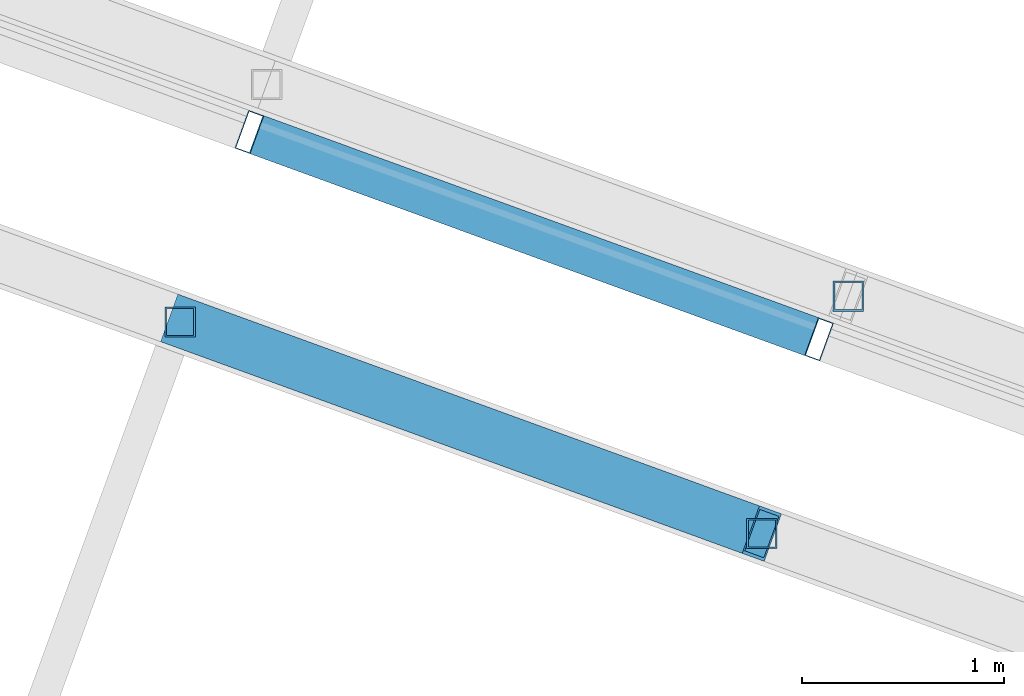
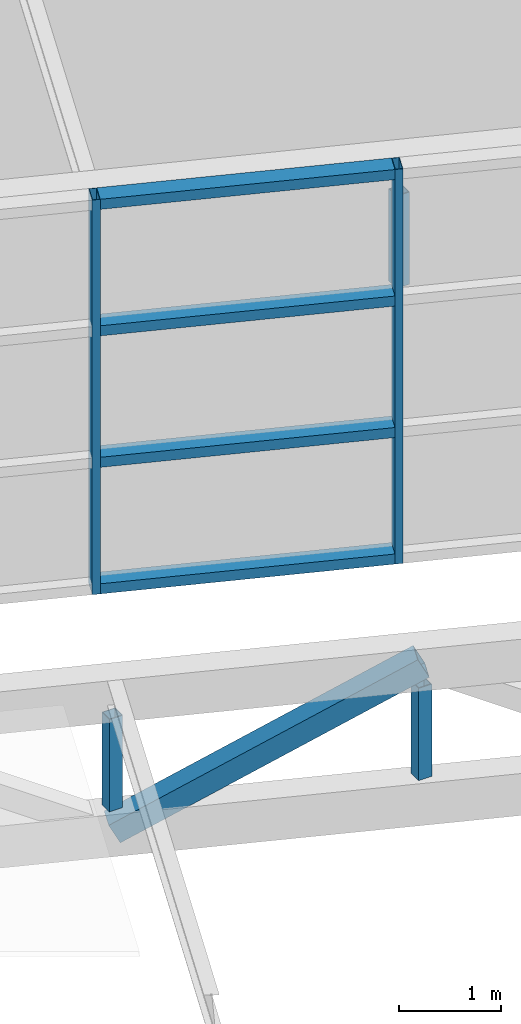
# One storey, part 35 of 72: 10 members, 1 element without a shape of its own.
"""IFC4 building model written with IfcOpenShell, lengths in metres."""

from ifc_helpers import new_model, si_unit, direction, frame, origin, origin_2d, place, context, subcontext, project, spatial, hollow_rectangle, extrude, material, layer, layer_set, material_profile, profile_set, type_object, element, aggregate, save


model = new_model("IFC4")

# Units and contexts
model_context = context("Model", 3, precision=1e-05, world=origin(), true_north=direction((0.0, 1.0)))
body_context = subcontext(model_context, "Body", "Model", "MODEL_VIEW")
ifc_project = project(units=[si_unit("LENGTHUNIT", "METRE"), si_unit("AREAUNIT", "SQUARE_METRE"), si_unit("VOLUMEUNIT", "CUBIC_METRE"), si_unit("PLANEANGLEUNIT", "RADIAN"), si_unit("MASSUNIT", "GRAM", prefix="KILO")], contexts=[model_context])

# Site, building, storey
site_placement = place(None, origin())
site = spatial("IfcSite", under=ifc_project, at=site_placement, CompositionType="ELEMENT")
building_placement = place(site_placement, origin())
building = spatial("IfcBuilding", under=site, at=building_placement, Name="Nzadi Deep Aquarium and Research Tower", CompositionType="ELEMENT")
storey_placement = place(building_placement, frame((0.0, 0.0, 31.89990234375)))
storey = spatial("IfcBuildingStorey", under=building, at=storey_placement, Name="L05", CompositionType="ELEMENT", Elevation=31.89990234375)

# Curtain wall, members
ifc_material_1 = material(Name="Aluminium glazing frame tall", Category="aluminium")
ifc_layer = layer(ifc_material_1, 0.199951171875)
ifc_layer_set = layer_set([ifc_layer], Name="Aluminium glazing frame tall")
curtain_wall_type = type_object("IfcCurtainWallType", Name="Curtain wall Clerestory Tall 200", PredefinedType="NOTDEFINED", material=ifc_layer_set)
curtain_wall_placement = place(storey_placement, origin())
curtain_wall = element("IfcCurtainWall", 1, at=curtain_wall_placement, inside=storey, type_object=curtain_wall_type, Name="Prism clerestory glazing", PredefinedType="NOTDEFINED")
ifc_material_2 = material(Name="Aluminium glazing frame tall", Category="aluminium")
ifc_material_profile_1 = material_profile(ifc_material_2, hollow_rectangle(XDim=0.199951171875, YDim=0.080078125, WallThickness=0.0048828125, at=origin_2d()))
ifc_profile_set_1 = profile_set([ifc_material_profile_1], Name="Aluminium glazing frame tall")
member_type_1 = type_object("IfcMemberType", Name="Mullion 80x200 Clerestory Tall", PredefinedType="MULLION", material=ifc_profile_set_1)
member_1_placement = place(storey_placement, frame((28.800048828125, 70.199951171875, 9.10009765625), z_axis=(0.0, 0.0, 1.0), x_axis=(0.342020143326, 0.939692620786, 0.0)))
member_1 = element("IfcMember", 2, at=member_1_placement, type_object=member_type_1, Name="CW257 mullion 5", PredefinedType="MULLION", context=body_context, shape_type="SweptSolid", body=[
    extrude(hollow_rectangle(XDim=0.199951171875, YDim=0.080078125, WallThickness=0.0048828125, at=origin_2d()), origin(), (0.0, 0.0, 1.0), 4.699951171875),
])
member_2_placement = place(storey_placement, frame((31.619140625, 69.173828125, 9.10009765625), z_axis=(0.0, 0.0, 1.0), x_axis=(0.342020143326, 0.939692620786, 0.0)))
member_2 = element("IfcMember", 3, at=member_2_placement, type_object=member_type_1, Name="CW257 mullion 6", PredefinedType="MULLION", context=body_context, shape_type="SweptSolid", body=[
    extrude(hollow_rectangle(XDim=0.199951171875, YDim=0.080078125, WallThickness=0.0048828125, at=origin_2d()), origin(), (0.0, 0.0, 1.0), 4.699951171875),
])

# Members
ifc_material_3 = material(Name="Steel S355", Category="steel")
ifc_material_profile_2 = material_profile(ifc_material_3, hollow_rectangle(XDim=0.14990234375, YDim=0.14990234375, WallThickness=0.008056640625, at=origin_2d()))
ifc_profile_set_2 = profile_set([ifc_material_profile_2], Name="Steel S355")
member_type_2 = type_object("IfcMemberType", Name="RHS 150x150x8 post 2", PredefinedType="POST", material=ifc_profile_set_2)
for number, where, z_axis, x_axis, name in (
    (4, (28.4580078125, 69.26025390625, 7.2001953125), (0.0, 0.0, 1.0), (1.0, 0.0, 0.0), "MB-PR-R1-T3-V4"),
    (5, (31.335693359375, 68.212890625, 7.2001953125), (0.0, 0.0, 1.0), (1.0, 0.0, 0.0), "MB-PR-R1-T3-V5"),
    (6, (31.763427734375, 69.387451171875, 12.2001953125), (0.0, 0.0, 1.0), (1.0, 0.0, 0.0), "MB-PR-R2-T1-V5"),
):
    element("IfcMember", number, at=place(storey_placement, frame(where, z_axis=z_axis, x_axis=x_axis)), inside=storey, type_object=member_type_2, Name=name, PredefinedType="POST", context=body_context, shape_type="SweptSolid", body=[
        extrude(hollow_rectangle(XDim=0.14990234375, YDim=0.14990234375, WallThickness=0.008056640625, at=origin_2d()), origin(), (0.0, 0.0, 1.0), 1.099853515625),
    ])
ifc_material_4 = material(Name="Steel S355", Category="steel")
ifc_material_profile_3 = material_profile(ifc_material_4, hollow_rectangle(XDim=0.25, YDim=0.25, WallThickness=0.01611328125, at=origin_2d()))
ifc_profile_set_3 = profile_set([ifc_material_profile_3], Name="Steel S355")
member_type_3 = type_object("IfcMemberType", Name="RHS 250x250x16 brace", PredefinedType="BRACE", material=ifc_profile_set_3)
member_3_placement = place(storey_placement, frame((28.4580078125, 69.26025390625, 6.9501953125), z_axis=(0.832885449393, -0.303137234062, 0.463043891564), x_axis=(0.342011896186, 0.939695622458, 0.0)))
element("IfcMember", 7, at=member_3_placement, inside=storey, type_object=member_type_3, Name="MB-PR-R1-T3-D5", PredefinedType="BRACE", context=body_context, shape_type="SweptSolid", body=[
    extrude(hollow_rectangle(XDim=0.25, YDim=0.25, WallThickness=0.01611328125, at=origin_2d()), origin(), (0.0, 0.0, 1.0), 3.455078125),
])

# Member
ifc_material_5 = material(Name="Aluminium glazing frame tall", Category="aluminium")
ifc_material_profile_4 = material_profile(ifc_material_5, hollow_rectangle(XDim=0.199951171875, YDim=0.1201171875, WallThickness=0.0048828125, at=origin_2d()))
ifc_profile_set_4 = profile_set([ifc_material_profile_4], Name="Aluminium glazing frame tall")
member_type_4 = type_object("IfcMemberType", Name="Transom 120x200 Clerestory Tall", PredefinedType="MULLION", material=ifc_profile_set_4)
member_4_placement = place(storey_placement, frame((28.837646484375, 70.186279296875, 9.16015625), z_axis=(0.939683523464, -0.342045136978, 0.0), x_axis=(0.342045136978, 0.939683523464, 0.0)))
member_4 = element("IfcMember", 8, at=member_4_placement, type_object=member_type_4, Name="CW257 transom 5.1", PredefinedType="MULLION", context=body_context, shape_type="SweptSolid", body=[
    extrude(hollow_rectangle(XDim=0.199951171875, YDim=0.1201171875, WallThickness=0.0048828125, at=origin_2d()), origin(), (0.0, 0.0, 1.0), 2.919921875),
])

member_5_placement = place(storey_placement, frame((28.837646484375, 70.186279296875, 10.6669921875), z_axis=(0.939683523464, -0.342045136978, 0.0), x_axis=(0.342045136978, 0.939683523464, 0.0)))
member_5 = element("IfcMember", 9, at=member_5_placement, type_object=member_type_4, Name="CW257 transom 5.2", PredefinedType="MULLION", context=body_context, shape_type="SweptSolid", body=[
    extrude(hollow_rectangle(XDim=0.199951171875, YDim=0.1201171875, WallThickness=0.0048828125, at=origin_2d()), origin(), (0.0, 0.0, 1.0), 2.919921875),
])

member_6_placement = place(storey_placement, frame((28.837646484375, 70.186279296875, 12.233154296875), z_axis=(0.939683523464, -0.342045136978, 0.0), x_axis=(0.342045136978, 0.939683523464, 0.0)))
member_6 = element("IfcMember", 10, at=member_6_placement, type_object=member_type_4, Name="CW257 transom 5.3", PredefinedType="MULLION", context=body_context, shape_type="SweptSolid", body=[
    extrude(hollow_rectangle(XDim=0.199951171875, YDim=0.1201171875, WallThickness=0.0048828125, at=origin_2d()), origin(), (0.0, 0.0, 1.0), 2.919921875),
])

member_7_placement = place(storey_placement, frame((28.837646484375, 70.186279296875, 13.739990234375), z_axis=(0.939683523464, -0.342045136978, 0.0), x_axis=(0.342045136978, 0.939683523464, 0.0)))
member_7 = element("IfcMember", 11, at=member_7_placement, type_object=member_type_4, Name="CW257 transom 5.4", PredefinedType="MULLION", context=body_context, shape_type="SweptSolid", body=[
    extrude(hollow_rectangle(XDim=0.199951171875, YDim=0.1201171875, WallThickness=0.0048828125, at=origin_2d()), origin(), (0.0, 0.0, 1.0), 2.919921875),
])

aggregate(curtain_wall, [member_1, member_2, member_4, member_5, member_6, member_7])

save(model, "model.ifc")
